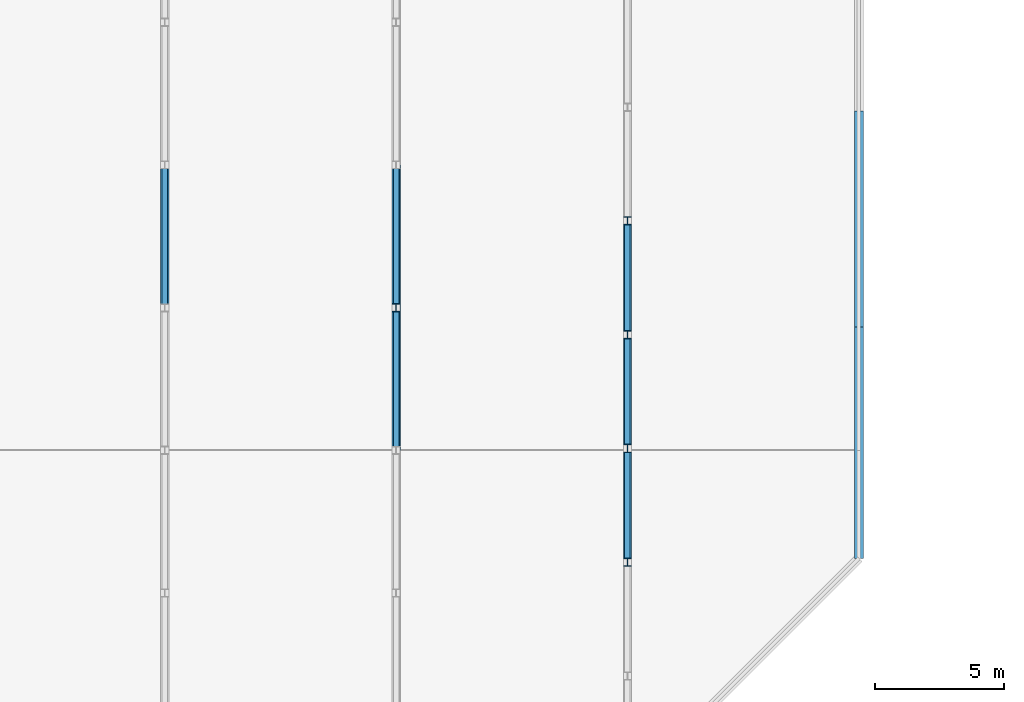
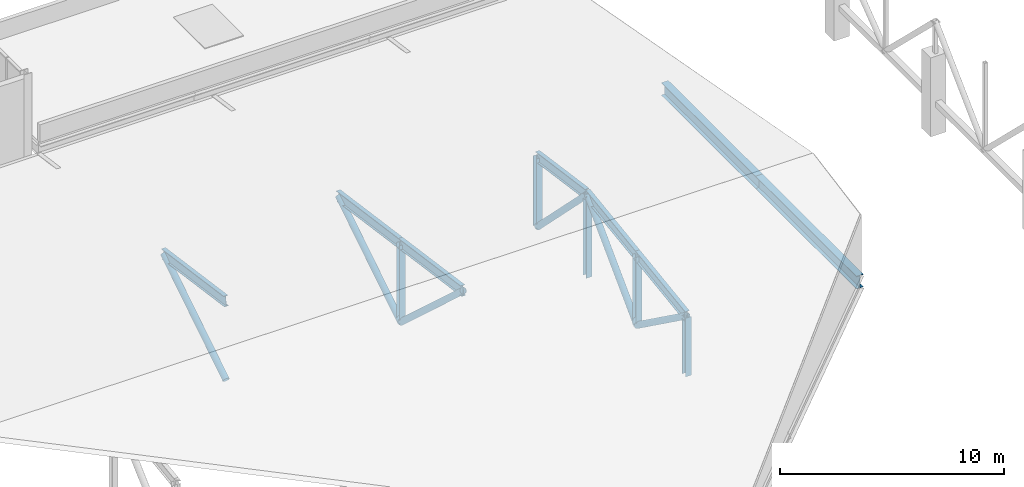
# One storey, part 9 of 103: 17 members, 2 beams.
"""IFC4 building model written with IfcOpenShell, lengths in metres."""

from ifc_helpers import new_model, si_unit, direction, frame, origin, origin_2d, place, context, subcontext, project, spatial, hollow_circle, i_section, extrude, material, material_profile, profile_set, type_object, element, save


model = new_model("IFC4")

# Units and contexts
model_context = context("Model", 3, precision=1e-05, world=origin(), true_north=direction((0.0, 1.0)))
body_context = subcontext(model_context, "Body", "Model", "MODEL_VIEW")
ifc_project = project(units=[si_unit("LENGTHUNIT", "METRE"), si_unit("AREAUNIT", "SQUARE_METRE"), si_unit("VOLUMEUNIT", "CUBIC_METRE"), si_unit("PLANEANGLEUNIT", "RADIAN"), si_unit("MASSUNIT", "GRAM", prefix="KILO")], contexts=[model_context])

# Site, building, storey
site_placement = place(None, origin())
site = spatial("IfcSite", under=ifc_project, at=site_placement, CompositionType="ELEMENT")
building_placement = place(site_placement, origin())
building = spatial("IfcBuilding", under=site, at=building_placement, Name="Cazmaro Siding Exhibition Halls", CompositionType="ELEMENT")
storey_placement = place(building_placement, frame((0.0, 0.0, 16.5)))
storey = spatial("IfcBuildingStorey", under=building, at=storey_placement, Name="L03", CompositionType="ELEMENT", Elevation=16.5)

# Beams
ifc_material_1 = material(Name="Steel ASTM A992 Grade 50", Category="steel")
ifc_material_profile_1 = material_profile(ifc_material_1, i_section(OverallWidth=0.35595703125, OverallDepth=0.696044921875, WebThickness=0.014892578125, FlangeThickness=0.02490234375, at=origin_2d()), Name="W27X146")
ifc_profile_set_1 = profile_set([ifc_material_profile_1], Name="Steel ASTM A992 Grade 50")
beam_type = type_object("IfcBeamType", Name="G-05", PredefinedType="USERDEFINED", material=ifc_profile_set_1)
beam_1_placement = place(storey_placement, frame((63.0, 27.0, 0.35205078125), z_axis=(0.0, 1.0, 0.0), x_axis=(-1.0, 0.0, 0.0)))
element("IfcBeam", 1, at=beam_1_placement, inside=storey, type_object=beam_type, Name="Beam G-05 BM-1743", ObjectType="GIRDER", PredefinedType="USERDEFINED", context=body_context, shape_type="SweptSolid", body=[
    extrude(i_section(OverallWidth=0.35595703125, OverallDepth=0.696044921875, WebThickness=0.014892578125, FlangeThickness=0.02490234375, at=origin_2d()), origin(), (0.0, 0.0, 1.0), 9.0),
])
beam_2_placement = place(storey_placement, frame((63.0, 36.0, 0.35205078125), z_axis=(0.0, 1.0, 0.0), x_axis=(-1.0, 0.0, 0.0)))
element("IfcBeam", 2, at=beam_2_placement, inside=storey, type_object=beam_type, Name="Beam G-05 BM-1745", ObjectType="GIRDER", PredefinedType="USERDEFINED", context=body_context, shape_type="SweptSolid", body=[
    extrude(i_section(OverallWidth=0.35595703125, OverallDepth=0.696044921875, WebThickness=0.014892578125, FlangeThickness=0.02490234375, at=origin_2d()), origin(), (0.0, 0.0, 1.0), 8.39990234375),
])

# Members
ifc_material_2 = material(Name="Steel ASTM A992 Grade 50", Category="steel")
ifc_material_profile_2 = material_profile(ifc_material_2, i_section(OverallWidth=0.214111328125, OverallDepth=0.549072265625, WebThickness=0.014892578125, FlangeThickness=0.02392578125, at=origin_2d()), Name="W21X93")
ifc_profile_set_2 = profile_set([ifc_material_profile_2], Name="Steel ASTM A992 Grade 50")
member_type_1 = type_object("IfcMemberType", Name="TC-04", PredefinedType="CHORD", material=ifc_profile_set_2)
for number, where, z_axis, x_axis, name in (
    (3, (36.0, 36.75, 2.840087890625), (0.0, 0.990267557209, -0.139176740654), (-1.0, 0.0, 0.0), "Congress folded roof top chord TC-04 MEM-3352"),
    (4, (45.0, 31.199951171875, 3.6201171875), (0.0, 0.990267557209, -0.139176740654), (-1.0, 0.0, 0.0), "Congress folded roof top chord TC-04 MEM-3380"),
    (5, (45.0, 36.75, 2.840087890625), (0.0, 0.990267557209, -0.139176740654), (-1.0, 0.0, 0.0), "Congress folded roof top chord TC-04 MEM-3383"),
):
    element("IfcMember", number, at=place(storey_placement, frame(where, z_axis=z_axis, x_axis=x_axis)), inside=storey, type_object=member_type_1, Name=name, PredefinedType="CHORD", context=body_context, shape_type="SweptSolid", body=[
        extrude(i_section(OverallWidth=0.214111328125, OverallDepth=0.549072265625, WebThickness=0.014892578125, FlangeThickness=0.02392578125, at=origin_2d()), origin(), (0.0, 0.0, 1.0), 5.6044921875),
    ])
member_1_placement = place(storey_placement, frame((54.0, 26.85009765625, 1.743896484375), z_axis=(0.0, 0.990261758116, 0.13921799601), x_axis=(-1.0, 0.0, 0.0)))
element("IfcMember", 6, at=member_1_placement, inside=storey, type_object=member_type_1, Name="Congress folded roof top chord TC-04 MEM-3405", PredefinedType="CHORD", context=body_context, shape_type="SweptSolid", body=[
    extrude(i_section(OverallWidth=0.214111328125, OverallDepth=0.549072265625, WebThickness=0.014892578125, FlangeThickness=0.02392578125, at=origin_2d()), origin(), (0.0, 0.0, 1.0), 4.46826171875),
])
for number, where, z_axis, x_axis, name in (
    (7, (54.0, 31.27490234375, 2.365966796875), (0.0, 0.990262817008, 0.139210463875), (-1.0, 0.0, 0.0), "Congress folded roof top chord TC-04 MEM-3408"),
    (8, (54.0, 35.699951171875, 2.988037109375), (0.0, 0.990262817008, -0.139210463875), (-1.0, 0.0, 0.0), "Congress folded roof top chord TC-04 MEM-3411"),
):
    element("IfcMember", number, at=place(storey_placement, frame(where, z_axis=z_axis, x_axis=x_axis)), inside=storey, type_object=member_type_1, Name=name, PredefinedType="CHORD", context=body_context, shape_type="SweptSolid", body=[
        extrude(i_section(OverallWidth=0.214111328125, OverallDepth=0.549072265625, WebThickness=0.014892578125, FlangeThickness=0.02392578125, at=origin_2d()), origin(), (0.0, 0.0, 1.0), 4.468505859375),
    ])
ifc_material_3 = material(Name="Steel ASTM A992 Grade 50", Category="steel")
ifc_material_profile_3 = material_profile(ifc_material_3, i_section(OverallWidth=0.304931640625, OverallDepth=0.306884765625, WebThickness=0.010009765625, FlangeThickness=0.014892578125, at=origin_2d()), Name="W12X65")
ifc_profile_set_3 = profile_set([ifc_material_profile_3], Name="Steel ASTM A992 Grade 50")
member_type_2 = type_object("IfcMemberType", Name="TP-03", PredefinedType="POST", material=ifc_profile_set_3)
member_2_placement = place(storey_placement, frame((45.0, 36.75, -1.449951171875), z_axis=(0.0, 0.0, 1.0), x_axis=(1.0, 0.0, 0.0)))
element("IfcMember", 9, at=member_2_placement, inside=storey, type_object=member_type_2, Name="Congress roof post TP-03 MEM-3396", PredefinedType="POST", context=body_context, shape_type="SweptSolid", body=[
    extrude(i_section(OverallWidth=0.304931640625, OverallDepth=0.306884765625, WebThickness=0.010009765625, FlangeThickness=0.014892578125, at=origin_2d()), origin(), (0.0, 0.0, 1.0), 4.2900390625),
])
member_3_placement = place(storey_placement, frame((54.0, 26.85009765625, -1.449951171875), z_axis=(0.0, 0.0, 1.0), x_axis=(1.0, 0.0, 0.0)))
element("IfcMember", 10, at=member_3_placement, inside=storey, type_object=member_type_2, Name="Congress roof post TP-03 MEM-3424", PredefinedType="POST", context=body_context, shape_type="SweptSolid", body=[
    extrude(i_section(OverallWidth=0.304931640625, OverallDepth=0.306884765625, WebThickness=0.010009765625, FlangeThickness=0.014892578125, at=origin_2d()), origin(), (0.0, 0.0, 1.0), 3.19384765625),
])
member_4_placement = place(storey_placement, frame((54.0, 31.27490234375, -1.449951171875), z_axis=(0.0, 0.0, 1.0), x_axis=(1.0, 0.0, 0.0)))
element("IfcMember", 11, at=member_4_placement, inside=storey, type_object=member_type_2, Name="Congress roof post TP-03 MEM-3425", PredefinedType="POST", context=body_context, shape_type="SweptSolid", body=[
    extrude(i_section(OverallWidth=0.304931640625, OverallDepth=0.306884765625, WebThickness=0.010009765625, FlangeThickness=0.014892578125, at=origin_2d()), origin(), (0.0, 0.0, 1.0), 3.81591796875),
])
member_5_placement = place(storey_placement, frame((54.0, 35.699951171875, -1.449951171875), z_axis=(0.0, 0.0, 1.0), x_axis=(1.0, 0.0, 0.0)))
element("IfcMember", 12, at=member_5_placement, inside=storey, type_object=member_type_2, Name="Congress roof post TP-03 MEM-3426", PredefinedType="POST", context=body_context, shape_type="SweptSolid", body=[
    extrude(i_section(OverallWidth=0.304931640625, OverallDepth=0.306884765625, WebThickness=0.010009765625, FlangeThickness=0.014892578125, at=origin_2d()), origin(), (0.0, 0.0, 1.0), 4.43798828125),
])
member_6_placement = place(storey_placement, frame((54.0, 40.125, -1.449951171875), z_axis=(0.0, 0.0, 1.0), x_axis=(1.0, 0.0, 0.0)))
element("IfcMember", 13, at=member_6_placement, inside=storey, type_object=member_type_2, Name="Congress roof post TP-03 MEM-3427", PredefinedType="POST", context=body_context, shape_type="SweptSolid", body=[
    extrude(i_section(OverallWidth=0.304931640625, OverallDepth=0.306884765625, WebThickness=0.010009765625, FlangeThickness=0.014892578125, at=origin_2d()), origin(), (0.0, 0.0, 1.0), 3.81591796875),
])
ifc_material_4 = material(Name="Steel ASTM A500 Grade C", Category="steel")
ifc_material_profile_4 = material_profile(ifc_material_4, hollow_circle(Radius=0.162109375, WallThickness=0.012939453125, at=origin_2d()), Name="PIPE12XS")
ifc_profile_set_4 = profile_set([ifc_material_profile_4], Name="Steel ASTM A500 Grade C")
member_type_3 = type_object("IfcMemberType", Name="WB-03", PredefinedType="BRACE", material=ifc_profile_set_4)
member_7_placement = place(storey_placement, frame((36.0, 36.75, -1.449951171875), z_axis=(0.0, 0.845164526711, 0.53450624205), x_axis=(-1.0, 0.0, 0.0)))
element("IfcMember", 14, at=member_7_placement, inside=storey, type_object=member_type_3, Name="Congress roof diagonal WB-03 MEM-3354", PredefinedType="BRACE", context=body_context, shape_type="SweptSolid", body=[
    extrude(hollow_circle(Radius=0.162109375, WallThickness=0.012939453125, at=origin_2d()), origin(), (0.0, 0.0, 1.0), 6.56689453125),
])
member_8_placement = place(storey_placement, frame((45.0, 31.199951171875, 3.6201171875), z_axis=(0.0, 0.738311095171, -0.674460322589), x_axis=(-1.0, 0.0, 0.0)))
element("IfcMember", 15, at=member_8_placement, inside=storey, type_object=member_type_3, Name="Congress roof diagonal WB-03 MEM-3382", PredefinedType="BRACE", context=body_context, shape_type="SweptSolid", body=[
    extrude(hollow_circle(Radius=0.162109375, WallThickness=0.012939453125, at=origin_2d()), origin(), (0.0, 0.0, 1.0), 7.517333984375),
])
member_9_placement = place(storey_placement, frame((45.0, 36.75, -1.449951171875), z_axis=(0.0, 0.845164526711, 0.53450624205), x_axis=(-1.0, 0.0, 0.0)))
element("IfcMember", 16, at=member_9_placement, inside=storey, type_object=member_type_3, Name="Congress roof diagonal WB-03 MEM-3385", PredefinedType="BRACE", context=body_context, shape_type="SweptSolid", body=[
    extrude(hollow_circle(Radius=0.162109375, WallThickness=0.012939453125, at=origin_2d()), origin(), (0.0, 0.0, 1.0), 6.56689453125),
])
member_10_placement = place(storey_placement, frame((54.0, 26.85009765625, 1.743896484375), z_axis=(0.0, 0.810839639294, -0.585268382325), x_axis=(-1.0, 0.0, 0.0)))
element("IfcMember", 17, at=member_10_placement, inside=storey, type_object=member_type_3, Name="Congress roof diagonal WB-03 MEM-3407", PredefinedType="BRACE", context=body_context, shape_type="SweptSolid", body=[
    extrude(hollow_circle(Radius=0.162109375, WallThickness=0.012939453125, at=origin_2d()), origin(), (0.0, 0.0, 1.0), 5.45703125),
])
for number, where, z_axis, x_axis, name in (
    (18, (54.0, 31.27490234375, -1.449951171875), (0.0, 0.706073699178, 0.708138356064), (-1.0, 0.0, 0.0), "Congress roof diagonal WB-03 MEM-3410"),
    (19, (54.0, 35.699951171875, 2.988037109375), (0.0, 0.706073699178, -0.708138356064), (-1.0, 0.0, 0.0), "Congress roof diagonal WB-03 MEM-3413"),
):
    element("IfcMember", number, at=place(storey_placement, frame(where, z_axis=z_axis, x_axis=x_axis)), inside=storey, type_object=member_type_3, Name=name, PredefinedType="BRACE", context=body_context, shape_type="SweptSolid", body=[
        extrude(hollow_circle(Radius=0.162109375, WallThickness=0.012939453125, at=origin_2d()), origin(), (0.0, 0.0, 1.0), 6.26708984375),
    ])

save(model, "model.ifc")
